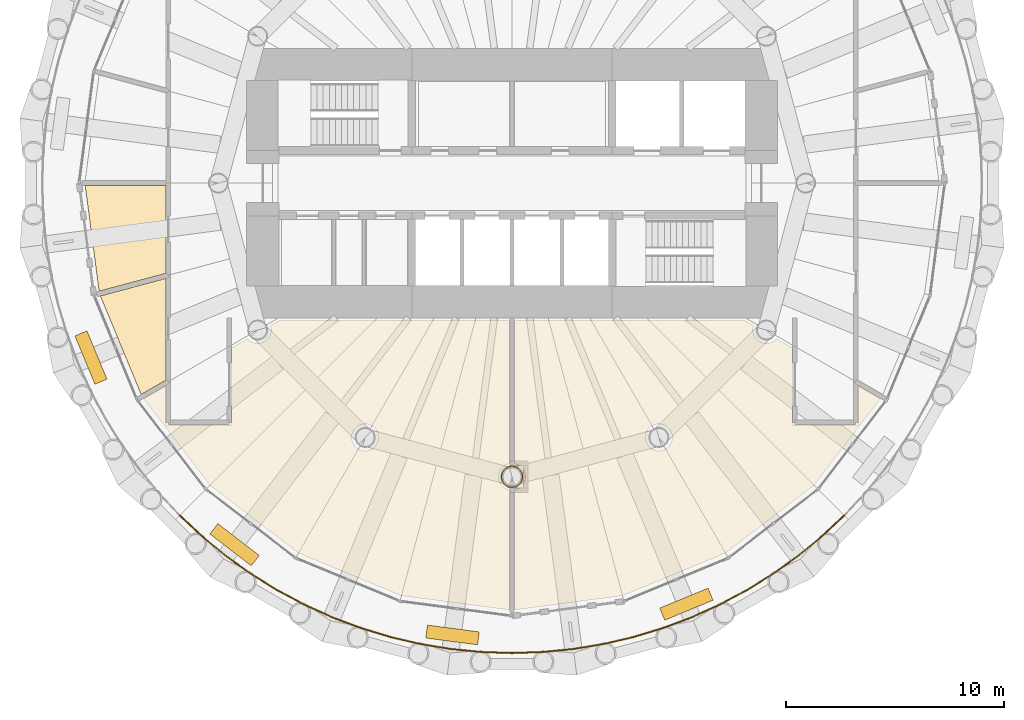
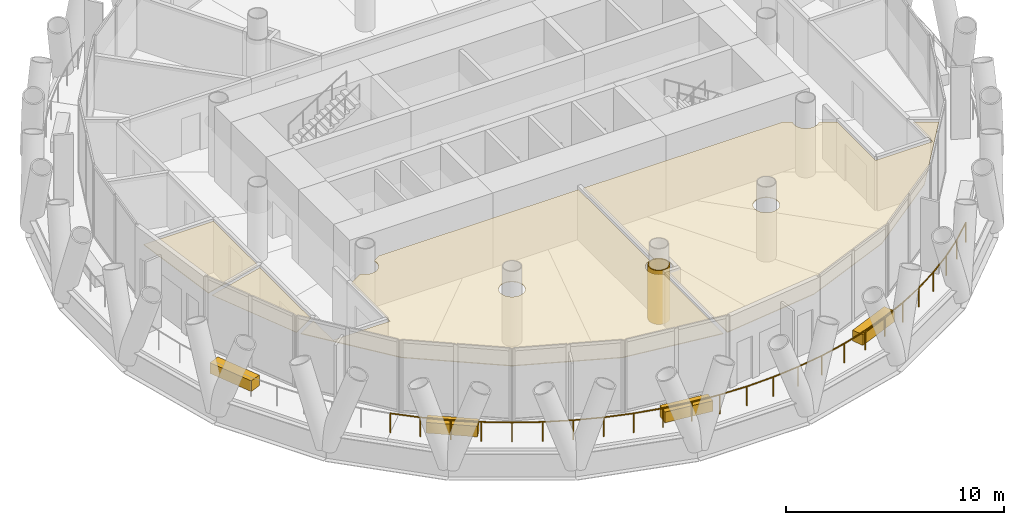
# One storey, part 13 of 16: 9 coverings, 1 railing.
"""IFC4 building model written with IfcOpenShell, lengths in metres."""

from ifc_helpers import new_model, si_unit, direction, frame, origin, origin_2d, place, context, subcontext, project, spatial, polyline, rectangle, circle, outline, extrude, material, layer, layer_set, type_object, element, save


model = new_model("IFC4")

# Units and contexts
model_context = context("Model", 3, precision=1e-05, world=origin(), true_north=direction((0.0, 1.0)))
body_context = subcontext(model_context, "Body", "Model", "MODEL_VIEW")
ifc_project = project(units=[si_unit("LENGTHUNIT", "METRE"), si_unit("AREAUNIT", "SQUARE_METRE"), si_unit("VOLUMEUNIT", "CUBIC_METRE"), si_unit("PLANEANGLEUNIT", "RADIAN"), si_unit("MASSUNIT", "GRAM", prefix="KILO")], contexts=[model_context])

# Site, building, storey
site_placement = place(None, origin())
site = spatial("IfcSite", under=ifc_project, at=site_placement, CompositionType="ELEMENT")
building_placement = place(site_placement, origin())
building = spatial("IfcBuilding", under=site, at=building_placement, Name="Qaws Media Tower", CompositionType="ELEMENT")
storey_placement = place(building_placement, frame((0.0, 0.0, 252.800048828125)))
storey = spatial("IfcBuildingStorey", under=building, at=storey_placement, Name="L58", CompositionType="ELEMENT", Elevation=252.800048828125)

# Coverings
ifc_material_1 = material(Name="40 perforated acoustic panels with mineral wool backing, suspended", Category="mineral fibre")
ifc_layer_1 = layer(ifc_material_1, 0.0400390625)
ifc_layer_set_1 = layer_set([ifc_layer_1], Name="Acoustic panel ceiling 40")
covering_type_1 = type_object("IfcCoveringType", Name="Acoustic panel ceiling 40", PredefinedType="CEILING", material=ifc_layer_set_1)
covering_1_placement = place(storey_placement, frame((0.0, 0.0, 2.849853515625)))
element("IfcCovering", 1, at=covering_1_placement, inside=storey, type_object=covering_type_1, Name="CL3 ceiling L58-08 Broadcast booth", PredefinedType="CEILING", context=body_context, shape_type="SweptSolid", body=[
    extrude(outline(polyline([(40.379638671875, 49.887451171875), (44.08740234375, 49.887451171875), (44.08740234375, 45.852783203125), (41.01904296875, 45.030517578125), (40.379638671875, 49.887451171875)])), origin(), (0.0, 0.0, 1.0), 0.0400390625),
])
covering_2_placement = place(storey_placement, frame((0.0, 0.0, 2.849853515625)))
element("IfcCovering", 2, at=covering_2_placement, inside=storey, type_object=covering_type_1, Name="CL3 ceiling L58-10 Bureau newsroom", PredefinedType="CEILING", context=body_context, shape_type="SweptSolid", body=[
    extrude(outline(polyline([(54.91796875, 31.03369140625), (50.182373046875, 32.995361328125), (46.11572265625, 36.11572265625), (43.064453125, 40.09228515625), (44.08740234375, 40.68310546875), (44.08740234375, 38.887451171875), (47.112548828125, 38.887451171875), (47.112548828125, 42.429443359375), (47.840576171875, 42.849853515625), (47.872314453125, 42.813720703125), (47.93310546875, 42.760498046875), (48.000244140625, 42.7158203125), (48.072509765625, 42.679931640625), (48.14892578125, 42.654052734375), (48.22802734375, 42.63818359375), (48.30859375, 42.633056640625), (48.38916015625, 42.63818359375), (48.46826171875, 42.654052734375), (48.544921875, 42.679931640625), (48.6171875, 42.7158203125), (48.684326171875, 42.760498046875), (48.744873046875, 42.813720703125), (48.798095703125, 42.87451171875), (48.843017578125, 42.94140625), (48.878662109375, 43.013916015625), (48.904541015625, 43.09033203125), (48.92041015625, 43.16943359375), (48.92578125, 43.25), (48.92041015625, 43.33056640625), (48.904541015625, 43.40966796875), (48.88916015625, 43.455322265625), (49.29150390625, 43.6875), (59.887451171875, 43.6875), (59.887451171875, 37.10546875), (59.84033203125, 37.095947265625), (59.763916015625, 37.070068359375), (59.69140625, 37.0341796875), (59.62451171875, 36.989501953125), (59.563720703125, 36.936279296875), (59.510498046875, 36.87548828125), (59.4658203125, 36.80859375), (59.429931640625, 36.736083984375), (59.404052734375, 36.65966796875), (59.38818359375, 36.58056640625), (59.383056640625, 36.5), (59.38818359375, 36.41943359375), (59.404052734375, 36.34033203125), (59.429931640625, 36.263916015625), (59.4658203125, 36.19140625), (59.510498046875, 36.12451171875), (59.563720703125, 36.063720703125), (59.62451171875, 36.010498046875), (59.69140625, 35.9658203125), (59.763916015625, 35.929931640625), (59.84033203125, 35.904052734375), (59.887451171875, 35.89453125), (59.887451171875, 30.379638671875), (54.91796875, 31.03369140625)]), holes=[polyline([(53.845947265625, 38.14892578125), (53.86181640625, 38.22802734375), (53.866943359375, 38.30859375), (53.86181640625, 38.38916015625), (53.845947265625, 38.46826171875), (53.820068359375, 38.544921875), (53.7841796875, 38.6171875), (53.739501953125, 38.684326171875), (53.686279296875, 38.744873046875), (53.62548828125, 38.798095703125), (53.55859375, 38.843017578125), (53.486083984375, 38.878662109375), (53.40966796875, 38.904541015625), (53.33056640625, 38.92041015625), (53.25, 38.92578125), (53.16943359375, 38.92041015625), (53.09033203125, 38.904541015625), (53.013916015625, 38.878662109375), (52.94140625, 38.843017578125), (52.87451171875, 38.798095703125), (52.813720703125, 38.744873046875), (52.760498046875, 38.684326171875), (52.7158203125, 38.6171875), (52.679931640625, 38.544921875), (52.654052734375, 38.46826171875), (52.63818359375, 38.38916015625), (52.633056640625, 38.30859375), (52.63818359375, 38.22802734375), (52.654052734375, 38.14892578125), (52.679931640625, 38.072509765625), (52.7158203125, 38.000244140625), (52.760498046875, 37.93310546875), (52.813720703125, 37.872314453125), (52.87451171875, 37.819091796875), (52.94140625, 37.7744140625), (53.013916015625, 37.738525390625), (53.09033203125, 37.712646484375), (53.16943359375, 37.697021484375), (53.25, 37.691650390625), (53.33056640625, 37.697021484375), (53.40966796875, 37.712646484375), (53.486083984375, 37.738525390625), (53.55859375, 37.7744140625), (53.62548828125, 37.819091796875), (53.686279296875, 37.872314453125), (53.739501953125, 37.93310546875), (53.7841796875, 38.000244140625), (53.820068359375, 38.072509765625), (53.845947265625, 38.14892578125)])]), origin(), (0.0, 0.0, 1.0), 0.0400390625),
])
covering_3_placement = place(storey_placement, frame((0.0, 0.0, 2.849853515625)))
element("IfcCovering", 3, at=covering_3_placement, inside=storey, type_object=covering_type_1, Name="CL3 ceiling L58-11 Bureau newsroom", PredefinedType="CEILING", context=body_context, shape_type="SweptSolid", body=[
    extrude(outline(polyline([(72.887451171875, 38.887451171875), (75.91259765625, 38.887451171875), (75.91259765625, 40.68310546875), (76.935546875, 40.09228515625), (73.88427734375, 36.11572265625), (69.817626953125, 32.995361328125), (65.08203125, 31.03369140625), (60.112548828125, 30.379638671875), (60.112548828125, 35.89453125), (60.15966796875, 35.904052734375), (60.236083984375, 35.929931640625), (60.30859375, 35.9658203125), (60.37548828125, 36.010498046875), (60.436279296875, 36.063720703125), (60.489501953125, 36.12451171875), (60.5341796875, 36.19140625), (60.570068359375, 36.263916015625), (60.595947265625, 36.34033203125), (60.61181640625, 36.41943359375), (60.616943359375, 36.5), (60.61181640625, 36.58056640625), (60.595947265625, 36.65966796875), (60.570068359375, 36.736083984375), (60.5341796875, 36.80859375), (60.489501953125, 36.87548828125), (60.436279296875, 36.936279296875), (60.37548828125, 36.989501953125), (60.30859375, 37.0341796875), (60.236083984375, 37.070068359375), (60.15966796875, 37.095947265625), (60.112548828125, 37.10546875), (60.112548828125, 43.6875), (70.70849609375, 43.6875), (71.11083984375, 43.455322265625), (71.095458984375, 43.40966796875), (71.07958984375, 43.33056640625), (71.07421875, 43.25), (71.07958984375, 43.16943359375), (71.095458984375, 43.09033203125), (71.121337890625, 43.013916015625), (71.156982421875, 42.94140625), (71.201904296875, 42.87451171875), (71.255126953125, 42.813720703125), (71.315673828125, 42.760498046875), (71.3828125, 42.7158203125), (71.455078125, 42.679931640625), (71.53173828125, 42.654052734375), (71.61083984375, 42.63818359375), (71.69140625, 42.633056640625), (71.77197265625, 42.63818359375), (71.85107421875, 42.654052734375), (71.927490234375, 42.679931640625), (71.999755859375, 42.7158203125), (72.06689453125, 42.760498046875), (72.127685546875, 42.813720703125), (72.159423828125, 42.849853515625), (72.887451171875, 42.429443359375), (72.887451171875, 38.887451171875)]), holes=[polyline([(67.320068359375, 38.072509765625), (67.345947265625, 38.14892578125), (67.36181640625, 38.22802734375), (67.366943359375, 38.30859375), (67.36181640625, 38.38916015625), (67.345947265625, 38.46826171875), (67.320068359375, 38.544921875), (67.2841796875, 38.6171875), (67.239501953125, 38.684326171875), (67.186279296875, 38.744873046875), (67.12548828125, 38.798095703125), (67.05859375, 38.843017578125), (66.986083984375, 38.878662109375), (66.90966796875, 38.904541015625), (66.83056640625, 38.92041015625), (66.75, 38.92578125), (66.66943359375, 38.92041015625), (66.59033203125, 38.904541015625), (66.513916015625, 38.878662109375), (66.44140625, 38.843017578125), (66.37451171875, 38.798095703125), (66.313720703125, 38.744873046875), (66.260498046875, 38.684326171875), (66.2158203125, 38.6171875), (66.179931640625, 38.544921875), (66.154052734375, 38.46826171875), (66.13818359375, 38.38916015625), (66.133056640625, 38.30859375), (66.13818359375, 38.22802734375), (66.154052734375, 38.14892578125), (66.179931640625, 38.072509765625), (66.2158203125, 38.000244140625), (66.260498046875, 37.93310546875), (66.313720703125, 37.872314453125), (66.37451171875, 37.819091796875), (66.44140625, 37.7744140625), (66.513916015625, 37.738525390625), (66.59033203125, 37.712646484375), (66.66943359375, 37.697021484375), (66.75, 37.691650390625), (66.83056640625, 37.697021484375), (66.90966796875, 37.712646484375), (66.986083984375, 37.738525390625), (67.05859375, 37.7744140625), (67.12548828125, 37.819091796875), (67.186279296875, 37.872314453125), (67.239501953125, 37.93310546875), (67.2841796875, 38.000244140625), (67.320068359375, 38.072509765625)])]), origin(), (0.0, 0.0, 1.0), 0.0400390625),
])

# Railing
ifc_material_2 = material(Name="Stainless steel and glass guard", Category="steel")
railing_type = type_object("IfcRailingType", Name="Balcony guard 1100", PredefinedType="GUARDRAIL", material=ifc_material_2)
railing_placement = place(storey_placement, frame((44.7265625, 34.7265625, 0.0)))
element("IfcRailing", 4, at=railing_placement, inside=storey, type_object=railing_type, Name="GR1 balcony guard L58-3", PredefinedType="GUARDRAIL", context=body_context, shape_type="SweptSolid", body=[
    extrude(circle(Radius=0.02392578125, at=origin_2d()), frame((0.0, 0.0, 1.076171875), z_axis=(0.729790326017, -0.683671032041, 0.0), x_axis=(0.683671032041, 0.729790326017, 0.0)), (0.0, 0.0, 1.0), 1.413330078125),
    extrude(circle(Radius=0.02392578125, at=origin_2d()), frame((1.031494140625, -0.96630859375, 1.076171875), z_axis=(0.773040795861, -0.634356309919, 0.0), x_axis=(0.634356309919, 0.773040795861, 0.0)), (0.0, 0.0, 1.0), 1.41357421875),
    extrude(circle(Radius=0.02392578125, at=origin_2d()), frame((2.124267578125, -1.863037109375, 1.076171875), z_axis=(0.812868921269, -0.582446664369, 0.0), x_axis=(0.582446664369, 0.812868921269, 0.0)), (0.0, 0.0, 1.0), 1.413330078125),
    extrude(circle(Radius=0.02392578125, at=origin_2d()), frame((3.273193359375, -2.686279296875, 1.076171875), z_axis=(0.849199489161, -0.528072180302, 0.0), x_axis=(0.528072180302, 0.849199489161, 0.0)), (0.0, 0.0, 1.0), 1.413330078125),
    extrude(circle(Radius=0.02392578125, at=origin_2d()), frame((4.473388671875, -3.4326171875, 1.076171875), z_axis=(0.881864811477, -0.471502337511, 0.0), x_axis=(0.471502337511, 0.881864811477, 0.0)), (0.0, 0.0, 1.0), 1.41357421875),
    extrude(circle(Radius=0.02392578125, at=origin_2d()), frame((5.719970703125, -4.09912109375, 1.076171875), z_axis=(0.91090396594, -0.412618425224, 0.0), x_axis=(0.412618425224, 0.91090396594, 0.0)), (0.0, 0.0, 1.0), 1.41357421875),
    extrude(circle(Radius=0.02392578125, at=origin_2d()), frame((7.007568359375, -4.682373046875, 1.076171875), z_axis=(0.935916792317, -0.35222117747, 0.0), x_axis=(0.35222117747, 0.935916792317, 0.0)), (0.0, 0.0, 1.0), 1.413330078125),
    extrude(circle(Radius=0.02392578125, at=origin_2d()), frame((8.330322265625, -5.18017578125, 1.076171875), z_axis=(0.956918291565, -0.290357337206, 0.0), x_axis=(0.290357337206, 0.956918291565, 0.0)), (0.0, 0.0, 1.0), 1.413330078125),
    extrude(circle(Radius=0.02392578125, at=origin_2d()), frame((9.682861328125, -5.590576171875, 1.076171875), z_axis=(0.97387050105, -0.227104044845, 0.0), x_axis=(0.227104044845, 0.97387050105, 0.0)), (0.0, 0.0, 1.0), 1.41357421875),
    extrude(circle(Radius=0.02392578125, at=origin_2d()), frame((11.0595703125, -5.91162109375, 1.076171875), z_axis=(0.986644859384, -0.162886222409, 0.0), x_axis=(0.162886222409, 0.986644859384, 0.0)), (0.0, 0.0, 1.0), 1.413330078125),
    extrude(circle(Radius=0.02392578125, at=origin_2d()), frame((12.4541015625, -6.141845703125, 1.076171875), z_axis=(0.99519327251, -0.097930334174, 0.0), x_axis=(0.097930334174, 0.99519327251, 0.0)), (0.0, 0.0, 1.0), 1.41357421875),
    extrude(circle(Radius=0.02392578125, at=origin_2d()), frame((13.86083984375, -6.2802734375, 1.076171875), z_axis=(0.999461272323, -0.032820193872, 0.0), x_axis=(0.032820193872, 0.999461272323, 0.0)), (0.0, 0.0, 1.0), 1.413330078125),
    extrude(circle(Radius=0.02392578125, at=origin_2d()), frame((15.2734375, -6.32666015625, 1.076171875), z_axis=(0.999461272323, 0.032820193872, 0.0), x_axis=(-0.032820193872, 0.999461272323, 0.0)), (0.0, 0.0, 1.0), 1.413330078125),
    extrude(circle(Radius=0.02392578125, at=origin_2d()), frame((16.68603515625, -6.2802734375, 1.076171875), z_axis=(0.99519327251, 0.097930334174, 0.0), x_axis=(-0.097930334174, 0.99519327251, 0.0)), (0.0, 0.0, 1.0), 1.41357421875),
    extrude(circle(Radius=0.02392578125, at=origin_2d()), frame((18.0927734375, -6.141845703125, 1.076171875), z_axis=(0.986644859384, 0.162886222409, 0.0), x_axis=(-0.162886222409, 0.986644859384, 0.0)), (0.0, 0.0, 1.0), 1.413330078125),
    extrude(circle(Radius=0.02392578125, at=origin_2d()), frame((19.4873046875, -5.91162109375, 1.076171875), z_axis=(0.97387050105, 0.227104044845, 0.0), x_axis=(-0.227104044845, 0.97387050105, 0.0)), (0.0, 0.0, 1.0), 1.41357421875),
    extrude(circle(Radius=0.02392578125, at=origin_2d()), frame((20.864013671875, -5.590576171875, 1.076171875), z_axis=(0.956918291565, 0.290357337206, 0.0), x_axis=(-0.290357337206, 0.956918291565, 0.0)), (0.0, 0.0, 1.0), 1.413330078125),
    extrude(circle(Radius=0.02392578125, at=origin_2d()), frame((22.216552734375, -5.18017578125, 1.076171875), z_axis=(0.935916792317, 0.35222117747, 0.0), x_axis=(-0.35222117747, 0.935916792317, 0.0)), (0.0, 0.0, 1.0), 1.413330078125),
    extrude(circle(Radius=0.02392578125, at=origin_2d()), frame((23.539306640625, -4.682373046875, 1.076171875), z_axis=(0.91090396594, 0.412618425224, 0.0), x_axis=(-0.412618425224, 0.91090396594, 0.0)), (0.0, 0.0, 1.0), 1.41357421875),
    extrude(circle(Radius=0.02392578125, at=origin_2d()), frame((24.826904296875, -4.09912109375, 1.076171875), z_axis=(0.881864811477, 0.471502337511, 0.0), x_axis=(-0.471502337511, 0.881864811477, 0.0)), (0.0, 0.0, 1.0), 1.41357421875),
    extrude(circle(Radius=0.02392578125, at=origin_2d()), frame((26.073486328125, -3.4326171875, 1.076171875), z_axis=(0.849199489161, 0.528072180302, 0.0), x_axis=(-0.528072180302, 0.849199489161, 0.0)), (0.0, 0.0, 1.0), 1.413330078125),
    extrude(circle(Radius=0.02392578125, at=origin_2d()), frame((27.273681640625, -2.686279296875, 1.076171875), z_axis=(0.812868921269, 0.582446664369, 0.0), x_axis=(-0.582446664369, 0.812868921269, 0.0)), (0.0, 0.0, 1.0), 1.413330078125),
    extrude(circle(Radius=0.02392578125, at=origin_2d()), frame((28.422607421875, -1.863037109375, 1.076171875), z_axis=(0.773040795861, 0.634356309919, 0.0), x_axis=(-0.634356309919, 0.773040795861, 0.0)), (0.0, 0.0, 1.0), 1.41357421875),
    extrude(circle(Radius=0.02392578125, at=origin_2d()), frame((29.515380859375, -0.96630859375, 1.076171875), z_axis=(0.729790326017, 0.683671032041, 0.0), x_axis=(-0.683671032041, 0.729790326017, 0.0)), (0.0, 0.0, 1.0), 1.413330078125),
    extrude(circle(Radius=0.02099609375, at=origin_2d()), origin(), (0.0, 0.0, 1.0), 1.052001953125),
    extrude(circle(Radius=0.02099609375, at=origin_2d()), frame((1.031494140625, -0.96630859375, 0.0)), (0.0, 0.0, 1.0), 1.052001953125),
    extrude(circle(Radius=0.02099609375, at=origin_2d()), frame((2.124267578125, -1.863037109375, 0.0)), (0.0, 0.0, 1.0), 1.052001953125),
    extrude(circle(Radius=0.02099609375, at=origin_2d()), frame((3.273193359375, -2.686279296875, 0.0)), (0.0, 0.0, 1.0), 1.052001953125),
    extrude(circle(Radius=0.02099609375, at=origin_2d()), frame((4.473388671875, -3.4326171875, 0.0)), (0.0, 0.0, 1.0), 1.052001953125),
    extrude(circle(Radius=0.02099609375, at=origin_2d()), frame((5.719970703125, -4.09912109375, 0.0)), (0.0, 0.0, 1.0), 1.052001953125),
    extrude(circle(Radius=0.02099609375, at=origin_2d()), frame((7.007568359375, -4.682373046875, 0.0)), (0.0, 0.0, 1.0), 1.052001953125),
    extrude(circle(Radius=0.02099609375, at=origin_2d()), frame((8.330322265625, -5.18017578125, 0.0)), (0.0, 0.0, 1.0), 1.052001953125),
    extrude(circle(Radius=0.02099609375, at=origin_2d()), frame((9.682861328125, -5.590576171875, 0.0)), (0.0, 0.0, 1.0), 1.052001953125),
    extrude(circle(Radius=0.02099609375, at=origin_2d()), frame((11.0595703125, -5.91162109375, 0.0)), (0.0, 0.0, 1.0), 1.052001953125),
    extrude(circle(Radius=0.02099609375, at=origin_2d()), frame((12.4541015625, -6.141845703125, 0.0)), (0.0, 0.0, 1.0), 1.052001953125),
    extrude(circle(Radius=0.02099609375, at=origin_2d()), frame((13.86083984375, -6.2802734375, 0.0)), (0.0, 0.0, 1.0), 1.052001953125),
    extrude(circle(Radius=0.02099609375, at=origin_2d()), frame((15.2734375, -6.32666015625, 0.0)), (0.0, 0.0, 1.0), 1.052001953125),
    extrude(circle(Radius=0.02099609375, at=origin_2d()), frame((16.68603515625, -6.2802734375, 0.0)), (0.0, 0.0, 1.0), 1.052001953125),
    extrude(circle(Radius=0.02099609375, at=origin_2d()), frame((18.0927734375, -6.141845703125, 0.0)), (0.0, 0.0, 1.0), 1.052001953125),
    extrude(circle(Radius=0.02099609375, at=origin_2d()), frame((19.4873046875, -5.91162109375, 0.0)), (0.0, 0.0, 1.0), 1.052001953125),
    extrude(circle(Radius=0.02099609375, at=origin_2d()), frame((20.864013671875, -5.590576171875, 0.0)), (0.0, 0.0, 1.0), 1.052001953125),
    extrude(circle(Radius=0.02099609375, at=origin_2d()), frame((22.216552734375, -5.18017578125, 0.0)), (0.0, 0.0, 1.0), 1.052001953125),
    extrude(circle(Radius=0.02099609375, at=origin_2d()), frame((23.539306640625, -4.682373046875, 0.0)), (0.0, 0.0, 1.0), 1.052001953125),
    extrude(circle(Radius=0.02099609375, at=origin_2d()), frame((24.826904296875, -4.09912109375, 0.0)), (0.0, 0.0, 1.0), 1.052001953125),
    extrude(circle(Radius=0.02099609375, at=origin_2d()), frame((26.073486328125, -3.4326171875, 0.0)), (0.0, 0.0, 1.0), 1.052001953125),
    extrude(circle(Radius=0.02099609375, at=origin_2d()), frame((27.273681640625, -2.686279296875, 0.0)), (0.0, 0.0, 1.0), 1.052001953125),
    extrude(circle(Radius=0.02099609375, at=origin_2d()), frame((28.422607421875, -1.863037109375, 0.0)), (0.0, 0.0, 1.0), 1.052001953125),
    extrude(circle(Radius=0.02099609375, at=origin_2d()), frame((29.515380859375, -0.96630859375, 0.0)), (0.0, 0.0, 1.0), 1.052001953125),
    extrude(circle(Radius=0.02099609375, at=origin_2d()), frame((30.546875, 0.0, 0.0)), (0.0, 0.0, 1.0), 1.052001953125),
])

# Coverings
ifc_material_3 = material(Name="Two layers 15 fire-rated gypsum board on steel framing", Category="steel")
ifc_layer_2 = layer(ifc_material_3, 0.050048828125)
ifc_layer_set_2 = layer_set([ifc_layer_2], Name="Column fire casing")
covering_type_2 = type_object("IfcCoveringType", Name="Column fire casing", PredefinedType="CLADDING", material=ifc_layer_set_2)
covering_4_placement = place(storey_placement, origin())
element("IfcCovering", 5, at=covering_4_placement, inside=storey, type_object=covering_type_2, Name="CC1 column casing L58", PredefinedType="CLADDING", context=body_context, shape_type="SweptSolid", body=[
    extrude(outline(polyline([(60.511962890625, 36.5), (60.507568359375, 36.43310546875), (60.49462890625, 36.367431640625), (60.472900390625, 36.30419921875), (60.443359375, 36.243896484375), (60.40625, 36.188232421875), (60.362060546875, 36.137939453125), (60.311767578125, 36.09375), (60.256103515625, 36.056640625), (60.19580078125, 36.027099609375), (60.132568359375, 36.00537109375), (60.06689453125, 35.992431640625), (60.0, 35.988037109375), (59.93310546875, 35.992431640625), (59.867431640625, 36.00537109375), (59.80419921875, 36.027099609375), (59.743896484375, 36.056640625), (59.688232421875, 36.09375), (59.637939453125, 36.137939453125), (59.59375, 36.188232421875), (59.556640625, 36.243896484375), (59.527099609375, 36.30419921875), (59.50537109375, 36.367431640625), (59.492431640625, 36.43310546875), (59.488037109375, 36.5), (59.492431640625, 36.56689453125), (59.50537109375, 36.632568359375), (59.527099609375, 36.69580078125), (59.556640625, 36.756103515625), (59.59375, 36.811767578125), (59.637939453125, 36.862060546875), (59.688232421875, 36.90625), (59.743896484375, 36.943359375), (59.80419921875, 36.972900390625), (59.867431640625, 36.99462890625), (59.93310546875, 37.007568359375), (60.0, 37.011962890625), (60.06689453125, 37.007568359375), (60.132568359375, 36.99462890625), (60.19580078125, 36.972900390625), (60.256103515625, 36.943359375), (60.311767578125, 36.90625), (60.362060546875, 36.862060546875), (60.40625, 36.811767578125), (60.443359375, 36.756103515625), (60.472900390625, 36.69580078125), (60.49462890625, 36.632568359375), (60.507568359375, 36.56689453125), (60.511962890625, 36.5)]), holes=[polyline([(60.4599609375, 36.5), (60.4560546875, 36.43994140625), (60.4443359375, 36.380859375), (60.425048828125, 36.323974609375), (60.3984375, 36.27001953125), (60.364990234375, 36.219970703125), (60.3251953125, 36.1748046875), (60.280029296875, 36.135009765625), (60.22998046875, 36.1015625), (60.176025390625, 36.074951171875), (60.119140625, 36.0556640625), (60.06005859375, 36.0439453125), (60.0, 36.0400390625), (59.93994140625, 36.0439453125), (59.880859375, 36.0556640625), (59.823974609375, 36.074951171875), (59.77001953125, 36.1015625), (59.719970703125, 36.135009765625), (59.6748046875, 36.1748046875), (59.635009765625, 36.219970703125), (59.6015625, 36.27001953125), (59.574951171875, 36.323974609375), (59.5556640625, 36.380859375), (59.5439453125, 36.43994140625), (59.5400390625, 36.5), (59.5439453125, 36.56005859375), (59.5556640625, 36.619140625), (59.574951171875, 36.676025390625), (59.6015625, 36.72998046875), (59.635009765625, 36.780029296875), (59.6748046875, 36.8251953125), (59.719970703125, 36.864990234375), (59.77001953125, 36.8984375), (59.823974609375, 36.925048828125), (59.880859375, 36.9443359375), (59.93994140625, 36.9560546875), (60.0, 36.9599609375), (60.06005859375, 36.9560546875), (60.119140625, 36.9443359375), (60.176025390625, 36.925048828125), (60.22998046875, 36.8984375), (60.280029296875, 36.864990234375), (60.3251953125, 36.8251953125), (60.364990234375, 36.780029296875), (60.3984375, 36.72998046875), (60.425048828125, 36.676025390625), (60.4443359375, 36.619140625), (60.4560546875, 36.56005859375), (60.4599609375, 36.5)])]), origin(), (0.0, 0.0, 1.0), 3.02001953125),
])
ifc_material_4 = material(Name="600 x 600 mineral fibre tiles in exposed grid, suspended", Category="mineral fibre")
ifc_layer_3 = layer(ifc_material_4, 0.02001953125)
ifc_layer_set_3 = layer_set([ifc_layer_3], Name="Mineral fibre tile ceiling 20")
covering_type_3 = type_object("IfcCoveringType", Name="Mineral fibre tile ceiling 20", PredefinedType="CEILING", material=ifc_layer_set_3)
covering_5_placement = place(storey_placement, frame((0.0, 0.0, 2.849853515625)))
element("IfcCovering", 6, at=covering_5_placement, inside=storey, type_object=covering_type_3, Name="CL1 ceiling L58-09 Edit room", PredefinedType="CEILING", context=body_context, shape_type="SweptSolid", body=[
    extrude(outline(polyline([(41.0771484375, 44.813232421875), (44.08740234375, 45.619873046875), (44.08740234375, 40.94287109375), (42.951904296875, 40.287109375), (41.0771484375, 44.813232421875)])), origin(), (0.0, 0.0, 1.0), 0.02001953125),
])
ifc_material_5 = material(Name="Precast concrete planter with trailing planting", Category="concrete")
ifc_layer_4 = layer(ifc_material_5, 0.60009765625)
ifc_layer_set_4 = layer_set([ifc_layer_4], Name="Planter 2400x600")
covering_type_4 = type_object("IfcCoveringType", Name="Planter 2400x600", PredefinedType="USERDEFINED", material=ifc_layer_set_4)
for number, where, z_axis, x_axis, name in (
    (7, (40.644775390625, 41.982666015625, 0.0), (0.0, 0.0, 1.0), (0.382683432365, -0.923879532511, 0.0), "PL1 balcony planter L58-07"),
    (8, (47.246337890625, 33.379150390625, 0.0), (0.0, 0.0, 1.0), (0.793353340291, -0.608761429009, 0.0), "PL1 balcony planter L58-08"),
    (9, (57.265380859375, 29.229248046875, 0.0), (0.0, 0.0, 1.0), (0.991444861374, -0.13052619222, 0.0), "PL1 balcony planter L58-09"),
    (10, (68.017333984375, 30.644775390625, 0.0), (0.0, 0.0, 1.0), (0.923879532511, 0.382683432365, 0.0), "PL1 balcony planter L58-10"),
):
    element("IfcCovering", number, at=place(storey_placement, frame(where, z_axis=z_axis, x_axis=x_axis)), inside=storey, type_object=covering_type_4, Name=name, ObjectType="PLANTER", PredefinedType="USERDEFINED", context=body_context, shape_type="SweptSolid", body=[
        extrude(rectangle(XDim=2.39990234375, YDim=0.60009765625, at=origin_2d()), origin(), (0.0, 0.0, 1.0), 0.60009765625),
    ])

save(model, "model.ifc")
